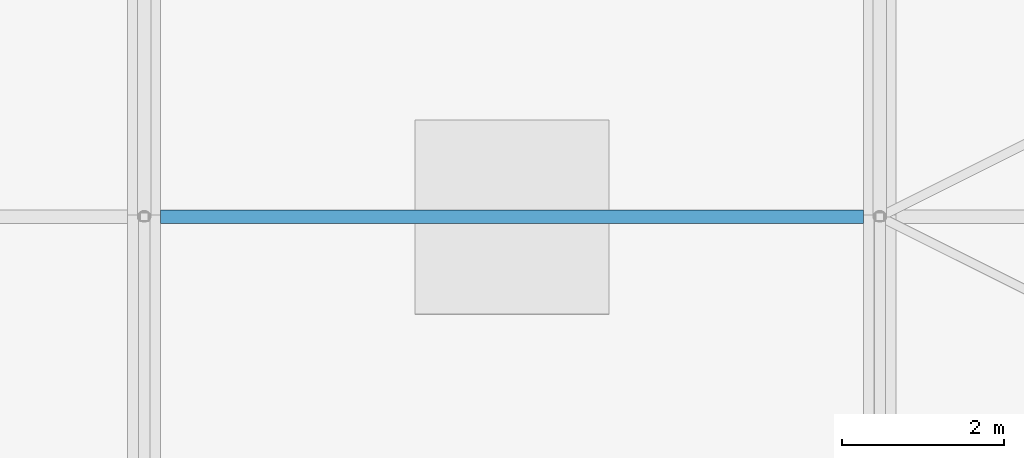
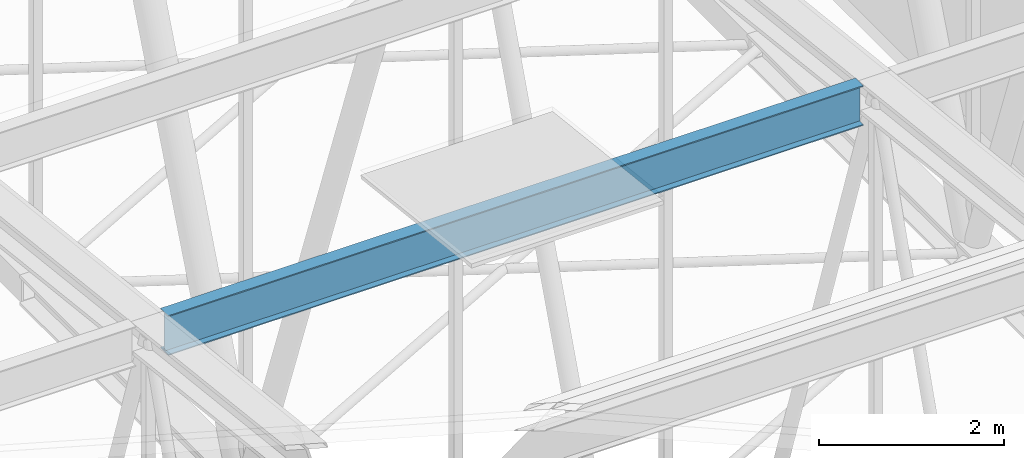
# One storey, part 260 of 500: 1 member.
"""IFC4 building model written with IfcOpenShell, lengths in metres."""

from ifc_helpers import new_model, si_unit, direction, frame, origin, origin_2d, place, context, subcontext, project, spatial, i_section, extrude, material, material_profile, profile_set, type_object, element, save


model = new_model("IFC4")

# Units and contexts
model_context = context("Model", 3, precision=1e-05, world=origin(), true_north=direction((0.0, 1.0)))
body_context = subcontext(model_context, "Body", "Model", "MODEL_VIEW")
ifc_project = project(units=[si_unit("LENGTHUNIT", "METRE"), si_unit("AREAUNIT", "SQUARE_METRE"), si_unit("VOLUMEUNIT", "CUBIC_METRE"), si_unit("PLANEANGLEUNIT", "RADIAN"), si_unit("MASSUNIT", "GRAM", prefix="KILO")], contexts=[model_context])

# Site, building, storey
site_placement = place(None, origin())
site = spatial("IfcSite", under=ifc_project, at=site_placement, CompositionType="ELEMENT")
building_placement = place(site_placement, origin())
building = spatial("IfcBuilding", under=site, at=building_placement, Name="Shirokan Park Arena", CompositionType="ELEMENT")
storey_placement = place(building_placement, frame((0.0, 0.0, 29.1201171875)))
storey = spatial("IfcBuildingStorey", under=building, at=storey_placement, Name="L06", CompositionType="ELEMENT", Elevation=29.1201171875)

# Member
ifc_material = material(Name="Steel ASTM A992", Category="steel")
ifc_material_profile = material_profile(ifc_material, i_section(OverallWidth=0.166015625, OverallDepth=0.528076171875, WebThickness=0.009765625, FlangeThickness=0.013671875, at=origin_2d()), Name="W530X74")
ifc_profile_set = profile_set([ifc_material_profile], Name="Steel ASTM A992")
member_type = type_object("IfcMemberType", Name="Purlin W530X74", PredefinedType="PURLIN", material=ifc_profile_set)
member_placement = place(storey_placement, frame((82.10302734375, 59.14990234375, 18.205810546875), z_axis=(1.0, 0.0, 0.0), x_axis=(0.0, 1.0, 0.0)))
element("IfcMember", 1, at=member_placement, inside=storey, type_object=member_type, Name="Purlin 16 bay 10", PredefinedType="PURLIN", context=body_context, shape_type="SweptSolid", body=[
    extrude(i_section(OverallWidth=0.166015625, OverallDepth=0.528076171875, WebThickness=0.009765625, FlangeThickness=0.013671875, at=origin_2d()), origin(), (0.0, 0.0, 1.0), 8.694091796875),
])

save(model, "model.ifc")
